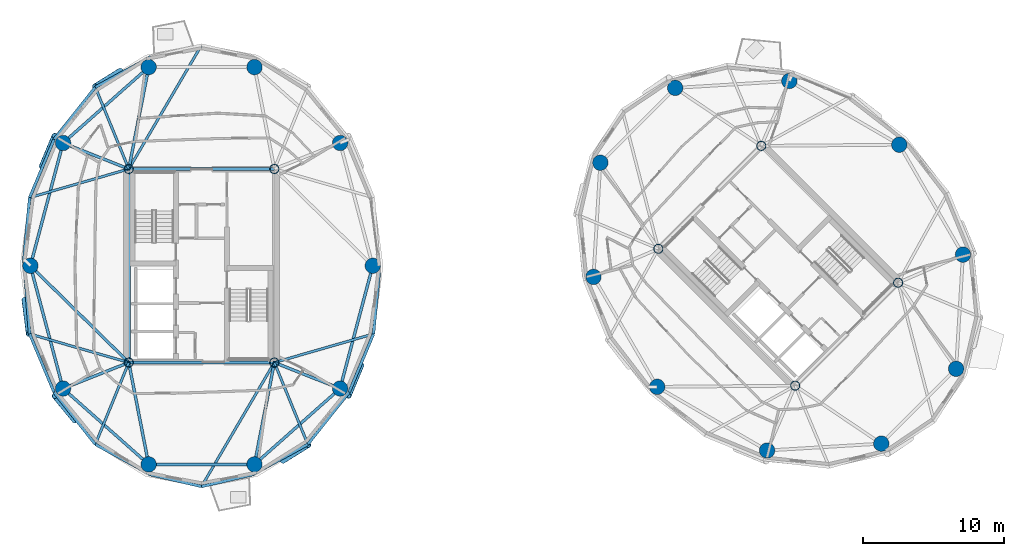
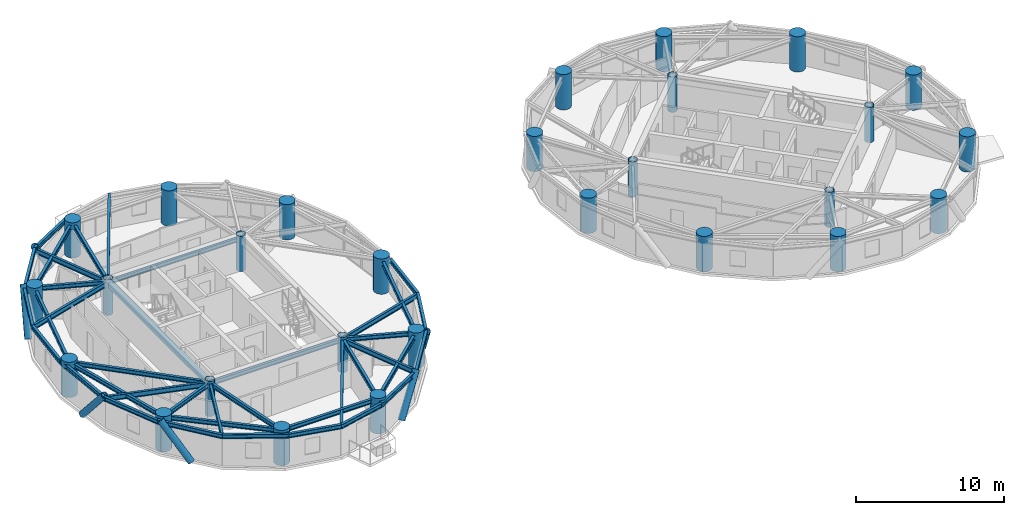
# One storey, part 1 of 16: 39 beams, 28 columns, 6 members.
"""IFC4 building model written with IfcOpenShell, lengths in metres."""

from ifc_helpers import new_model, si_unit, direction, frame, origin, origin_2d, place, context, subcontext, project, spatial, hollow_rectangle, circle, hollow_circle, i_section, extrude, material, material_profile, profile_set, type_object, element, save


model = new_model("IFC4")

# Units and contexts
model_context = context("Model", 3, precision=1e-05, world=origin(), true_north=direction((0.0, 1.0)))
body_context = subcontext(model_context, "Body", "Model", "MODEL_VIEW")
ifc_project = project(units=[si_unit("LENGTHUNIT", "METRE"), si_unit("AREAUNIT", "SQUARE_METRE"), si_unit("VOLUMEUNIT", "CUBIC_METRE"), si_unit("PLANEANGLEUNIT", "RADIAN"), si_unit("MASSUNIT", "GRAM", prefix="KILO")], contexts=[model_context])

# Site, building, storey
site_placement = place(None, origin())
site = spatial("IfcSite", under=ifc_project, at=site_placement, CompositionType="ELEMENT")
building_placement = place(site_placement, origin())
building = spatial("IfcBuilding", under=site, at=building_placement, Name="Cununo Teusaquillo Station Towers", CompositionType="ELEMENT")
storey_placement = place(building_placement, frame((0.0, 0.0, 217.030029296875)))
storey = spatial("IfcBuildingStorey", under=building, at=storey_placement, Name="L69", CompositionType="ELEMENT", Elevation=217.030029296875)

# Columns
ifc_material_1 = material(Name="Steel EN 10025-2 S355J2", Category="steel")
ifc_material_profile_1 = material_profile(ifc_material_1, hollow_circle(Radius=0.330078125, WallThickness=0.02490234375, at=origin_2d()), Name="CHS 660x25")
ifc_profile_set_1 = profile_set([ifc_material_profile_1], Name="Steel EN 10025-2 S355J2")
column_type_1 = type_object("IfcColumnType", Name="COL-CORE-Z3", PredefinedType="COLUMN", material=ifc_profile_set_1)
for number, where, z_axis, x_axis, name in (
    (1, (11.324951171875, 17.6201171875, 0.0), (0.0, 0.0, 1.0), (1.0, 0.0, 0.0), "L69 Tower A Core Column 1"),
    (2, (11.324951171875, 31.3798828125, 0.0), (0.0, 0.0, 1.0), (1.0, 0.0, 0.0), "L69 Tower A Core Column 2"),
    (3, (21.675048828125, 17.6201171875, 0.0), (0.0, 0.0, 1.0), (1.0, 0.0, 0.0), "L69 Tower A Core Column 3"),
    (4, (21.675048828125, 31.3798828125, 0.0), (0.0, 0.0, 1.0), (1.0, 0.0, 0.0), "L69 Tower A Core Column 4"),
    (5, (58.70556640625, 15.975830078125, 0.0), (0.0, 0.0, 1.0), (0.707106781187, 0.707106781187, 0.0), "L69 Tower B Core Column 1"),
    (6, (48.975830078125, 25.70556640625, 0.0), (0.0, 0.0, 1.0), (0.707106781187, 0.707106781187, 0.0), "L69 Tower B Core Column 2"),
    (7, (66.024169921875, 23.29443359375, 0.0), (0.0, 0.0, 1.0), (0.707106781187, 0.707106781187, 0.0), "L69 Tower B Core Column 3"),
    (8, (56.29443359375, 33.024169921875, 0.0), (0.0, 0.0, 1.0), (0.707106781187, 0.707106781187, 0.0), "L69 Tower B Core Column 4"),
):
    element("IfcColumn", number, at=place(storey_placement, frame(where, z_axis=z_axis, x_axis=x_axis)), inside=storey, type_object=column_type_1, Name=name, PredefinedType="COLUMN", context=body_context, shape_type="SweptSolid", body=[
        extrude(hollow_circle(Radius=0.330078125, WallThickness=0.02490234375, at=origin_2d()), origin(), (0.0, 0.0, 1.0), 2.909912109375),
    ])
ifc_material_2 = material(Name="Concrete C50/60", Category="concrete")
ifc_material_profile_2 = material_profile(ifc_material_2, circle(Radius=0.550048828125, at=origin_2d()), Name="RC-CIRC-1100")
ifc_profile_set_2 = profile_set([ifc_material_profile_2], Name="Concrete C50/60")
column_type_2 = type_object("IfcColumnType", Name="COL-MEGA-Z4", PredefinedType="USERDEFINED", material=ifc_profile_set_2)
for number, where, z_axis, x_axis, name in (
    (9, (28.672119140625, 24.5, 0.0), (0.0, 0.0, 1.0), (1.0, 0.0, 0.0), "L69 Tower A Perimeter Column V00"),
    (10, (26.347412109375, 33.228515625, 0.0), (0.0, 0.0, 1.0), (1.0, 0.0, 0.0), "L69 Tower A Perimeter Column V02"),
    (11, (20.261474609375, 38.623291015625, 0.0), (0.0, 0.0, 1.0), (1.0, 0.0, 0.0), "L69 Tower A Perimeter Column V04"),
    (12, (12.738525390625, 38.623291015625, 0.0), (0.0, 0.0, 1.0), (1.0, 0.0, 0.0), "L69 Tower A Perimeter Column V06"),
    (13, (6.652587890625, 33.228515625, 0.0), (0.0, 0.0, 1.0), (1.0, 0.0, 0.0), "L69 Tower A Perimeter Column V08"),
    (14, (4.327880859375, 24.5, 0.0), (0.0, 0.0, 1.0), (1.0, 0.0, 0.0), "L69 Tower A Perimeter Column V10"),
    (15, (6.652587890625, 15.771484375, 0.0), (0.0, 0.0, 1.0), (1.0, 0.0, 0.0), "L69 Tower A Perimeter Column V12"),
    (16, (12.738525390625, 10.376708984375, 0.0), (0.0, 0.0, 1.0), (1.0, 0.0, 0.0), "L69 Tower A Perimeter Column V14"),
    (17, (20.261474609375, 10.376708984375, 0.0), (0.0, 0.0, 1.0), (1.0, 0.0, 0.0), "L69 Tower A Perimeter Column V16"),
    (18, (26.347412109375, 15.771484375, 0.0), (0.0, 0.0, 1.0), (1.0, 0.0, 0.0), "L69 Tower A Perimeter Column V18"),
    (19, (66.10693359375, 33.10693359375, 0.0), (0.0, 0.0, 1.0), (1.0, 0.0, 0.0), "L69 Tower B Perimeter Column V00"),
    (20, (58.291015625, 37.63525390625, 0.0), (0.0, 0.0, 1.0), (1.0, 0.0, 0.0), "L69 Tower B Perimeter Column V02"),
    (21, (50.173095703125, 37.146240234375, 0.0), (0.0, 0.0, 1.0), (1.0, 0.0, 0.0), "L69 Tower B Perimeter Column V04"),
    (22, (44.853759765625, 31.826904296875, 0.0), (0.0, 0.0, 1.0), (1.0, 0.0, 0.0), "L69 Tower B Perimeter Column V06"),
    (23, (44.36474609375, 23.708984375, 0.0), (0.0, 0.0, 1.0), (1.0, 0.0, 0.0), "L69 Tower B Perimeter Column V08"),
    (24, (48.89306640625, 15.89306640625, 0.0), (0.0, 0.0, 1.0), (1.0, 0.0, 0.0), "L69 Tower B Perimeter Column V10"),
    (25, (56.708984375, 11.36474609375, 0.0), (0.0, 0.0, 1.0), (1.0, 0.0, 0.0), "L69 Tower B Perimeter Column V12"),
    (26, (64.826904296875, 11.853759765625, 0.0), (0.0, 0.0, 1.0), (1.0, 0.0, 0.0), "L69 Tower B Perimeter Column V14"),
    (27, (70.146240234375, 17.173095703125, 0.0), (0.0, 0.0, 1.0), (1.0, 0.0, 0.0), "L69 Tower B Perimeter Column V16"),
    (28, (70.63525390625, 25.291015625, 0.0), (0.0, 0.0, 1.0), (1.0, 0.0, 0.0), "L69 Tower B Perimeter Column V18"),
):
    element("IfcColumn", number, at=place(storey_placement, frame(where, z_axis=z_axis, x_axis=x_axis)), inside=storey, type_object=column_type_2, Name=name, ObjectType="MEGA COLUMN", PredefinedType="USERDEFINED", context=body_context, shape_type="SweptSolid", body=[
        extrude(circle(Radius=0.550048828125, at=origin_2d()), origin(), (0.0, 0.0, 1.0), 2.909912109375),
    ])

# Beams
ifc_material_3 = material(Name="Steel EN 10025-2 S355J2", Category="steel")
ifc_material_profile_3 = material_profile(ifc_material_3, hollow_rectangle(XDim=0.25, YDim=0.449951171875, WallThickness=0.01611328125, at=origin_2d()), Name="RHS 450x250x16")
ifc_profile_set_3 = profile_set([ifc_material_profile_3], Name="Steel EN 10025-2 S355J2")
beam_type_1 = type_object("IfcBeamType", Name="BM-COUP-1", PredefinedType="USERDEFINED", material=ifc_profile_set_3)
beam_1_placement = place(storey_placement, frame((11.324951171875, 17.6201171875, 2.474853515625), z_axis=(0.0, 1.0, 0.0), x_axis=(-1.0, 0.0, 0.0)))
element("IfcBeam", 29, at=beam_1_placement, inside=storey, type_object=beam_type_1, Name="L69 Tower A Core Beam 1", ObjectType="COUPLING BEAM", PredefinedType="USERDEFINED", context=body_context, shape_type="SweptSolid", body=[
    extrude(hollow_rectangle(XDim=0.25, YDim=0.449951171875, WallThickness=0.01611328125, at=origin_2d()), origin(), (0.0, 0.0, 1.0), 13.759765625),
])
ifc_material_4 = material(Name="Steel ASTM A572 Grade 50", Category="steel")
ifc_material_profile_4 = material_profile(ifc_material_4, i_section(OverallWidth=0.180908203125, OverallDepth=0.4169921875, WebThickness=0.010986328125, FlangeThickness=0.018310546875, FilletRadius=0.012939453125, at=origin_2d()), Name="W16X57")
ifc_profile_set_4 = profile_set([ifc_material_profile_4], Name="Steel ASTM A572 Grade 50")
beam_type_2 = type_object("IfcBeamType", Name="BM-JOIST-1", PredefinedType="JOIST", material=ifc_profile_set_4)
beam_2_placement = place(storey_placement, frame((11.324951171875, 31.3798828125, 2.491455078125), z_axis=(0.506486432091, 0.862247930765, 0.0), x_axis=(-0.862247930765, 0.506486432091, 0.0)))
element("IfcBeam", 30, at=beam_2_placement, inside=storey, type_object=beam_type_2, Name="L69 Tower A Radial Spandrel Joist V05", PredefinedType="JOIST", context=body_context, shape_type="SweptSolid", body=[
    extrude(i_section(OverallWidth=0.180908203125, OverallDepth=0.4169921875, WebThickness=0.010986328125, FlangeThickness=0.018310546875, FilletRadius=0.012939453125, at=origin_2d()), origin(), (0.0, 0.0, 1.0), 10.217529296875),
])
beam_3_placement = place(storey_placement, frame((11.324951171875, 31.3798828125, 2.491455078125), z_axis=(-0.378576847217, 0.925569862707, 0.0), x_axis=(-0.925569862707, -0.378576847217, 0.0)))
element("IfcBeam", 31, at=beam_3_placement, inside=storey, type_object=beam_type_2, Name="L69 Tower A Radial Spandrel Joist V07", PredefinedType="JOIST", context=body_context, shape_type="SweptSolid", body=[
    extrude(i_section(OverallWidth=0.180908203125, OverallDepth=0.4169921875, WebThickness=0.010986328125, FlangeThickness=0.018310546875, FilletRadius=0.012939453125, at=origin_2d()), origin(), (0.0, 0.0, 1.0), 6.28125),
])
for number, where, z_axis, x_axis, name in (
    (32, (11.324951171875, 31.3798828125, 2.491455078125), (-0.960861603375, -0.277028841748, 0.0), (0.277028841748, -0.960861603375, 0.0), "L69 Tower A Radial Spandrel Joist V09"),
    (33, (11.324951171875, 17.6201171875, 2.491455078125), (-0.960861603375, 0.277028841748, 0.0), (-0.277028841748, -0.960861603375, 0.0), "L69 Tower A Radial Spandrel Joist V11"),
):
    element("IfcBeam", number, at=place(storey_placement, frame(where, z_axis=z_axis, x_axis=x_axis)), inside=storey, type_object=beam_type_2, Name=name, PredefinedType="JOIST", context=body_context, shape_type="SweptSolid", body=[
        extrude(i_section(OverallWidth=0.180908203125, OverallDepth=0.4169921875, WebThickness=0.010986328125, FlangeThickness=0.018310546875, FilletRadius=0.012939453125, at=origin_2d()), origin(), (0.0, 0.0, 1.0), 7.333251953125),
    ])
beam_4_placement = place(storey_placement, frame((11.324951171875, 17.6201171875, 2.491455078125), z_axis=(-0.378576847217, -0.925569862707, 0.0), x_axis=(0.925569862707, -0.378576847217, 0.0)))
element("IfcBeam", 34, at=beam_4_placement, inside=storey, type_object=beam_type_2, Name="L69 Tower A Radial Spandrel Joist V13", PredefinedType="JOIST", context=body_context, shape_type="SweptSolid", body=[
    extrude(i_section(OverallWidth=0.180908203125, OverallDepth=0.4169921875, WebThickness=0.010986328125, FlangeThickness=0.018310546875, FilletRadius=0.012939453125, at=origin_2d()), origin(), (0.0, 0.0, 1.0), 6.28125),
])
beam_5_placement = place(storey_placement, frame((21.675048828125, 17.6201171875, 2.491455078125), z_axis=(-0.506486432091, -0.862247930765, 0.0), x_axis=(0.862247930765, -0.506486432091, 0.0)))
element("IfcBeam", 35, at=beam_5_placement, inside=storey, type_object=beam_type_2, Name="L69 Tower A Radial Spandrel Joist V15", PredefinedType="JOIST", context=body_context, shape_type="SweptSolid", body=[
    extrude(i_section(OverallWidth=0.180908203125, OverallDepth=0.4169921875, WebThickness=0.010986328125, FlangeThickness=0.018310546875, FilletRadius=0.012939453125, at=origin_2d()), origin(), (0.0, 0.0, 1.0), 10.217529296875),
])
beam_6_placement = place(storey_placement, frame((21.675048828125, 17.6201171875, 2.491455078125), z_axis=(0.378576847217, -0.925569862707, 0.0), x_axis=(0.925569862707, 0.378576847217, 0.0)))
element("IfcBeam", 36, at=beam_6_placement, inside=storey, type_object=beam_type_2, Name="L69 Tower A Radial Spandrel Joist V17", PredefinedType="JOIST", context=body_context, shape_type="SweptSolid", body=[
    extrude(i_section(OverallWidth=0.180908203125, OverallDepth=0.4169921875, WebThickness=0.010986328125, FlangeThickness=0.018310546875, FilletRadius=0.012939453125, at=origin_2d()), origin(), (0.0, 0.0, 1.0), 6.28125),
])
beam_7_placement = place(storey_placement, frame((21.675048828125, 17.6201171875, 2.491455078125), z_axis=(0.960861603375, 0.277028841748, 0.0), x_axis=(-0.277028841748, 0.960861603375, 0.0)))
element("IfcBeam", 37, at=beam_7_placement, inside=storey, type_object=beam_type_2, Name="L69 Tower A Radial Spandrel Joist V19", PredefinedType="JOIST", context=body_context, shape_type="SweptSolid", body=[
    extrude(i_section(OverallWidth=0.180908203125, OverallDepth=0.4169921875, WebThickness=0.010986328125, FlangeThickness=0.018310546875, FilletRadius=0.012939453125, at=origin_2d()), origin(), (0.0, 0.0, 1.0), 7.333251953125),
])
ifc_material_5 = material(Name="Steel ASTM A572 Grade 50", Category="steel")
ifc_material_profile_5 = material_profile(ifc_material_5, i_section(OverallWidth=0.2041015625, OverallDepth=0.35009765625, WebThickness=0.008544921875, FlangeThickness=0.01513671875, FilletRadius=0.011962890625, at=origin_2d()), Name="W14X48")
ifc_profile_set_5 = profile_set([ifc_material_profile_5], Name="Steel ASTM A572 Grade 50")
beam_type_3 = type_object("IfcBeamType", Name="BM-LINTEL-1", PredefinedType="LINTEL", material=ifc_profile_set_5)
for number, where, z_axis, x_axis, name in (
    (38, (11.324951171875, 17.6201171875, 2.52490234375), (1.0, 0.0, 0.0), (0.0, 1.0, 0.0), "L69 Tower A Core Beam 3"),
    (39, (11.324951171875, 31.3798828125, 2.52490234375), (1.0, 0.0, 0.0), (0.0, 1.0, 0.0), "L69 Tower A Core Beam 4"),
):
    element("IfcBeam", number, at=place(storey_placement, frame(where, z_axis=z_axis, x_axis=x_axis)), inside=storey, type_object=beam_type_3, Name=name, PredefinedType="LINTEL", context=body_context, shape_type="SweptSolid", body=[
        extrude(i_section(OverallWidth=0.2041015625, OverallDepth=0.35009765625, WebThickness=0.008544921875, FlangeThickness=0.01513671875, FilletRadius=0.011962890625, at=origin_2d()), origin(), (0.0, 0.0, 1.0), 10.35009765625),
    ])
ifc_material_6 = material(Name="Steel ASTM A572 Grade 50", Category="steel")
ifc_material_profile_6 = material_profile(ifc_material_6, i_section(OverallWidth=0.2041015625, OverallDepth=0.35009765625, WebThickness=0.008544921875, FlangeThickness=0.01513671875, FilletRadius=0.011962890625, at=origin_2d()), Name="W14X48")
ifc_profile_set_6 = profile_set([ifc_material_profile_6], Name="Steel ASTM A572 Grade 50")
beam_type_4 = type_object("IfcBeamType", Name="BM-RAD-G3", PredefinedType="BEAM", material=ifc_profile_set_6)
beam_8_placement = place(storey_placement, frame((11.324951171875, 31.3798828125, 2.52490234375), z_axis=(0.191548487699, 0.981483151593, 0.0), x_axis=(-0.981483151593, 0.191548487699, 0.0)))
element("IfcBeam", 40, at=beam_8_placement, inside=storey, type_object=beam_type_4, Name="L69 Tower A Continuous Overhanging Radial Girder 04", PredefinedType="BEAM", context=body_context, shape_type="SweptSolid", body=[
    extrude(i_section(OverallWidth=0.2041015625, OverallDepth=0.35009765625, WebThickness=0.008544921875, FlangeThickness=0.01513671875, FilletRadius=0.011962890625, at=origin_2d()), origin(), (0.0, 0.0, 1.0), 8.1240234375),
])
beam_9_placement = place(storey_placement, frame((11.324951171875, 31.3798828125, 2.52490234375), z_axis=(-0.929851670487, 0.36793460138, 0.0), x_axis=(-0.36793460138, -0.929851670487, 0.0)))
element("IfcBeam", 41, at=beam_9_placement, inside=storey, type_object=beam_type_4, Name="L69 Tower A Continuous Overhanging Radial Girder 05", PredefinedType="BEAM", context=body_context, shape_type="SweptSolid", body=[
    extrude(i_section(OverallWidth=0.2041015625, OverallDepth=0.35009765625, WebThickness=0.008544921875, FlangeThickness=0.01513671875, FilletRadius=0.011962890625, at=origin_2d()), origin(), (0.0, 0.0, 1.0), 5.71630859375),
])
beam_10_placement = place(storey_placement, frame((11.324951171875, 17.6201171875, 2.52490234375), z_axis=(-0.713052701438, 0.701110437073, 0.0), x_axis=(-0.701110437073, -0.713052701438, 0.0)))
element("IfcBeam", 42, at=beam_10_placement, inside=storey, type_object=beam_type_4, Name="L69 Tower A Radial Girder 06A", PredefinedType="BEAM", context=body_context, shape_type="SweptSolid", body=[
    extrude(i_section(OverallWidth=0.2041015625, OverallDepth=0.35009765625, WebThickness=0.008544921875, FlangeThickness=0.01513671875, FilletRadius=0.011962890625, at=origin_2d()), origin(), (0.0, 0.0, 1.0), 9.812744140625),
])
beam_11_placement = place(storey_placement, frame((11.324951171875, 17.6201171875, 2.52490234375), z_axis=(-0.929851670487, -0.36793460138, 0.0), x_axis=(0.36793460138, -0.929851670487, 0.0)))
element("IfcBeam", 43, at=beam_11_placement, inside=storey, type_object=beam_type_4, Name="L69 Tower A Continuous Overhanging Radial Girder 07", PredefinedType="BEAM", context=body_context, shape_type="SweptSolid", body=[
    extrude(i_section(OverallWidth=0.2041015625, OverallDepth=0.35009765625, WebThickness=0.008544921875, FlangeThickness=0.01513671875, FilletRadius=0.011962890625, at=origin_2d()), origin(), (0.0, 0.0, 1.0), 5.71630859375),
])
for number, where, z_axis, x_axis, name in (
    (44, (11.324951171875, 17.6201171875, 2.52490234375), (0.191548487699, -0.981483151593, 0.0), (0.981483151593, 0.191548487699, 0.0), "L69 Tower A Continuous Overhanging Radial Girder 08"),
    (45, (21.675048828125, 17.6201171875, 2.52490234375), (-0.191548487699, -0.981483151593, 0.0), (0.981483151593, -0.191548487699, 0.0), "L69 Tower A Continuous Overhanging Radial Girder 09"),
):
    element("IfcBeam", number, at=place(storey_placement, frame(where, z_axis=z_axis, x_axis=x_axis)), inside=storey, type_object=beam_type_4, Name=name, PredefinedType="BEAM", context=body_context, shape_type="SweptSolid", body=[
        extrude(i_section(OverallWidth=0.2041015625, OverallDepth=0.35009765625, WebThickness=0.008544921875, FlangeThickness=0.01513671875, FilletRadius=0.011962890625, at=origin_2d()), origin(), (0.0, 0.0, 1.0), 8.1240234375),
    ])
beam_12_placement = place(storey_placement, frame((21.675048828125, 17.6201171875, 2.52490234375), z_axis=(0.929851670487, -0.36793460138, 0.0), x_axis=(0.36793460138, 0.929851670487, 0.0)))
element("IfcBeam", 46, at=beam_12_placement, inside=storey, type_object=beam_type_4, Name="L69 Tower A Continuous Overhanging Radial Girder 10", PredefinedType="BEAM", context=body_context, shape_type="SweptSolid", body=[
    extrude(i_section(OverallWidth=0.2041015625, OverallDepth=0.35009765625, WebThickness=0.008544921875, FlangeThickness=0.01513671875, FilletRadius=0.011962890625, at=origin_2d()), origin(), (0.0, 0.0, 1.0), 5.71630859375),
])
ifc_material_7 = material(Name="Steel ASTM A572 Grade 50", Category="steel")
ifc_material_profile_7 = material_profile(ifc_material_7, i_section(OverallWidth=0.2041015625, OverallDepth=0.35009765625, WebThickness=0.008544921875, FlangeThickness=0.01513671875, FilletRadius=0.011962890625, at=origin_2d()), Name="W14X48")
ifc_profile_set_7 = profile_set([ifc_material_profile_7], Name="Steel ASTM A572 Grade 50")
beam_type_5 = type_object("IfcBeamType", Name="BM-RING-Z4", PredefinedType="SPANDREL", material=ifc_profile_set_7)
beam_13_placement = place(storey_placement, frame((12.738525390625, 38.623291015625, 2.52490234375), z_axis=(-0.74832120039, -0.66333655187, 0.0), x_axis=(0.66333655187, -0.74832120039, 0.0)))
element("IfcBeam", 47, at=beam_13_placement, inside=storey, type_object=beam_type_5, Name="L69 Tower A Structural Column Ring Girder 04", PredefinedType="SPANDREL", context=body_context, shape_type="SweptSolid", body=[
    extrude(i_section(OverallWidth=0.2041015625, OverallDepth=0.35009765625, WebThickness=0.008544921875, FlangeThickness=0.01513671875, FilletRadius=0.011962890625, at=origin_2d()), origin(), (0.0, 0.0, 1.0), 8.1328125),
])
for number, where, z_axis, x_axis, name in (
    (48, (6.652587890625, 33.228515625, 2.52490234375), (-0.257363196347, -0.966314744359, 0.0), (0.966314744359, -0.257363196347, 0.0), "L69 Tower A Structural Column Ring Girder 05"),
    (49, (4.327880859375, 24.5, 2.52490234375), (0.257363196347, -0.966314744359, 0.0), (0.966314744359, 0.257363196347, 0.0), "L69 Tower A Structural Column Ring Girder 06"),
):
    element("IfcBeam", number, at=place(storey_placement, frame(where, z_axis=z_axis, x_axis=x_axis)), inside=storey, type_object=beam_type_5, Name=name, PredefinedType="SPANDREL", context=body_context, shape_type="SweptSolid", body=[
        extrude(i_section(OverallWidth=0.2041015625, OverallDepth=0.35009765625, WebThickness=0.008544921875, FlangeThickness=0.01513671875, FilletRadius=0.011962890625, at=origin_2d()), origin(), (0.0, 0.0, 1.0), 9.03271484375),
    ])
beam_14_placement = place(storey_placement, frame((6.652587890625, 15.771484375, 2.52490234375), z_axis=(0.74832120039, -0.66333655187, 0.0), x_axis=(0.66333655187, 0.74832120039, 0.0)))
element("IfcBeam", 50, at=beam_14_placement, inside=storey, type_object=beam_type_5, Name="L69 Tower A Structural Column Ring Girder 07", PredefinedType="SPANDREL", context=body_context, shape_type="SweptSolid", body=[
    extrude(i_section(OverallWidth=0.2041015625, OverallDepth=0.35009765625, WebThickness=0.008544921875, FlangeThickness=0.01513671875, FilletRadius=0.011962890625, at=origin_2d()), origin(), (0.0, 0.0, 1.0), 8.1328125),
])
beam_15_placement = place(storey_placement, frame((12.738525390625, 10.376708984375, 2.52490234375), z_axis=(1.0, 0.0, 0.0), x_axis=(0.0, 1.0, 0.0)))
element("IfcBeam", 51, at=beam_15_placement, inside=storey, type_object=beam_type_5, Name="L69 Tower A Structural Column Ring Girder 08", PredefinedType="SPANDREL", context=body_context, shape_type="SweptSolid", body=[
    extrude(i_section(OverallWidth=0.2041015625, OverallDepth=0.35009765625, WebThickness=0.008544921875, FlangeThickness=0.01513671875, FilletRadius=0.011962890625, at=origin_2d()), origin(), (0.0, 0.0, 1.0), 7.52294921875),
])
beam_16_placement = place(storey_placement, frame((20.261474609375, 10.376708984375, 2.52490234375), z_axis=(0.74832120039, 0.66333655187, 0.0), x_axis=(-0.66333655187, 0.74832120039, 0.0)))
element("IfcBeam", 52, at=beam_16_placement, inside=storey, type_object=beam_type_5, Name="L69 Tower A Structural Column Ring Girder 09", PredefinedType="SPANDREL", context=body_context, shape_type="SweptSolid", body=[
    extrude(i_section(OverallWidth=0.2041015625, OverallDepth=0.35009765625, WebThickness=0.008544921875, FlangeThickness=0.01513671875, FilletRadius=0.011962890625, at=origin_2d()), origin(), (0.0, 0.0, 1.0), 8.1328125),
])
beam_17_placement = place(storey_placement, frame((26.347412109375, 15.771484375, 2.52490234375), z_axis=(0.257363196347, 0.966314744359, 0.0), x_axis=(-0.966314744359, 0.257363196347, 0.0)))
element("IfcBeam", 53, at=beam_17_placement, inside=storey, type_object=beam_type_5, Name="L69 Tower A Structural Column Ring Girder 10", PredefinedType="SPANDREL", context=body_context, shape_type="SweptSolid", body=[
    extrude(i_section(OverallWidth=0.2041015625, OverallDepth=0.35009765625, WebThickness=0.008544921875, FlangeThickness=0.01513671875, FilletRadius=0.011962890625, at=origin_2d()), origin(), (0.0, 0.0, 1.0), 9.03271484375),
])
beam_18_placement = place(storey_placement, frame((12.881103515625, 39.353515625, 2.52490234375), z_axis=(-0.876576300909, -0.481262910149, 0.0), x_axis=(0.481262910149, -0.876576300909, 0.0)))
element("IfcBeam", 54, at=beam_18_placement, inside=storey, type_object=beam_type_5, Name="L69 Tower A Spandrel Ring Beam 07", PredefinedType="SPANDREL", context=body_context, shape_type="SweptSolid", body=[
    extrude(i_section(OverallWidth=0.2041015625, OverallDepth=0.35009765625, WebThickness=0.008544921875, FlangeThickness=0.01513671875, FilletRadius=0.011962890625, at=origin_2d()), origin(), (0.0, 0.0, 1.0), 4.488037109375),
])
beam_19_placement = place(storey_placement, frame((8.947021484375, 37.193603515625, 2.52490234375), z_axis=(-0.620710872531, -0.784039547932, 0.0), x_axis=(0.784039547932, -0.620710872531, 0.0)))
element("IfcBeam", 55, at=beam_19_placement, inside=storey, type_object=beam_type_5, Name="L69 Tower A Spandrel Ring Beam 08", PredefinedType="SPANDREL", context=body_context, shape_type="SweptSolid", body=[
    extrude(i_section(OverallWidth=0.2041015625, OverallDepth=0.35009765625, WebThickness=0.008544921875, FlangeThickness=0.01513671875, FilletRadius=0.011962890625, at=origin_2d()), origin(), (0.0, 0.0, 1.0), 4.732421875),
])
beam_20_placement = place(storey_placement, frame((6.009521484375, 33.483154296875, 2.52490234375), z_axis=(-0.386115454066, -0.922450462698, 0.0), x_axis=(0.922450462698, -0.386115454066, 0.0)))
element("IfcBeam", 56, at=beam_20_placement, inside=storey, type_object=beam_type_5, Name="L69 Tower A Spandrel Ring Beam 09", PredefinedType="SPANDREL", context=body_context, shape_type="SweptSolid", body=[
    extrude(i_section(OverallWidth=0.2041015625, OverallDepth=0.35009765625, WebThickness=0.008544921875, FlangeThickness=0.01513671875, FilletRadius=0.011962890625, at=origin_2d()), origin(), (0.0, 0.0, 1.0), 4.482421875),
])
beam_21_placement = place(storey_placement, frame((4.27880859375, 29.348388671875, 2.52490234375), z_axis=(-0.093902932611, -0.995581357422, 0.0), x_axis=(0.995581357422, -0.093902932611, 0.0)))
element("IfcBeam", 57, at=beam_21_placement, inside=storey, type_object=beam_type_5, Name="L69 Tower A Spandrel Ring Beam 10", PredefinedType="SPANDREL", context=body_context, shape_type="SweptSolid", body=[
    extrude(i_section(OverallWidth=0.2041015625, OverallDepth=0.35009765625, WebThickness=0.008544921875, FlangeThickness=0.01513671875, FilletRadius=0.011962890625, at=origin_2d()), origin(), (0.0, 0.0, 1.0), 4.412109375),
])
beam_22_placement = place(storey_placement, frame((3.864501953125, 24.955810546875, 2.52490234375), z_axis=(0.077871988965, -0.996963366095, 0.0), x_axis=(0.996963366095, 0.077871988965, 0.0)))
element("IfcBeam", 58, at=beam_22_placement, inside=storey, type_object=beam_type_5, Name="L69 Tower A Spandrel Ring Beam 11", PredefinedType="SPANDREL", context=body_context, shape_type="SweptSolid", body=[
    extrude(i_section(OverallWidth=0.2041015625, OverallDepth=0.35009765625, WebThickness=0.008544921875, FlangeThickness=0.01513671875, FilletRadius=0.011962890625, at=origin_2d()), origin(), (0.0, 0.0, 1.0), 5.3203125),
])
beam_23_placement = place(storey_placement, frame((4.27880859375, 19.651611328125, 2.52490234375), z_axis=(0.386115454066, -0.922450462698, 0.0), x_axis=(0.922450462698, 0.386115454066, 0.0)))
element("IfcBeam", 59, at=beam_23_placement, inside=storey, type_object=beam_type_5, Name="L69 Tower A Spandrel Ring Beam 12", PredefinedType="SPANDREL", context=body_context, shape_type="SweptSolid", body=[
    extrude(i_section(OverallWidth=0.2041015625, OverallDepth=0.35009765625, WebThickness=0.008544921875, FlangeThickness=0.01513671875, FilletRadius=0.011962890625, at=origin_2d()), origin(), (0.0, 0.0, 1.0), 4.482421875),
])
beam_24_placement = place(storey_placement, frame((6.009521484375, 15.516845703125, 2.52490234375), z_axis=(0.620710872531, -0.784039547932, 0.0), x_axis=(0.784039547932, 0.620710872531, 0.0)))
element("IfcBeam", 60, at=beam_24_placement, inside=storey, type_object=beam_type_5, Name="L69 Tower A Spandrel Ring Beam 13", PredefinedType="SPANDREL", context=body_context, shape_type="SweptSolid", body=[
    extrude(i_section(OverallWidth=0.2041015625, OverallDepth=0.35009765625, WebThickness=0.008544921875, FlangeThickness=0.01513671875, FilletRadius=0.011962890625, at=origin_2d()), origin(), (0.0, 0.0, 1.0), 4.732421875),
])
beam_25_placement = place(storey_placement, frame((8.947021484375, 11.806396484375, 2.52490234375), z_axis=(0.876576300909, -0.481262910149, 0.0), x_axis=(0.481262910149, 0.876576300909, 0.0)))
element("IfcBeam", 61, at=beam_25_placement, inside=storey, type_object=beam_type_5, Name="L69 Tower A Spandrel Ring Beam 14", PredefinedType="SPANDREL", context=body_context, shape_type="SweptSolid", body=[
    extrude(i_section(OverallWidth=0.2041015625, OverallDepth=0.35009765625, WebThickness=0.008544921875, FlangeThickness=0.01513671875, FilletRadius=0.011962890625, at=origin_2d()), origin(), (0.0, 0.0, 1.0), 4.488037109375),
])
for number, where, z_axis, x_axis, name in (
    (62, (12.881103515625, 9.646484375, 2.52490234375), (0.97431470066, -0.225190728224, 0.0), (0.225190728224, 0.97431470066, 0.0), "L69 Tower A Spandrel Ring Beam 15"),
    (63, (16.5, 8.81005859375, 2.52490234375), (0.97431470066, 0.225190728224, 0.0), (-0.225190728224, 0.97431470066, 0.0), "L69 Tower A Spandrel Ring Beam 16"),
):
    element("IfcBeam", number, at=place(storey_placement, frame(where, z_axis=z_axis, x_axis=x_axis)), inside=storey, type_object=beam_type_5, Name=name, PredefinedType="SPANDREL", context=body_context, shape_type="SweptSolid", body=[
        extrude(i_section(OverallWidth=0.2041015625, OverallDepth=0.35009765625, WebThickness=0.008544921875, FlangeThickness=0.01513671875, FilletRadius=0.011962890625, at=origin_2d()), origin(), (0.0, 0.0, 1.0), 3.71435546875),
    ])
beam_26_placement = place(storey_placement, frame((20.118896484375, 9.646484375, 2.52490234375), z_axis=(0.876576300909, 0.481262910149, 0.0), x_axis=(-0.481262910149, 0.876576300909, 0.0)))
element("IfcBeam", 64, at=beam_26_placement, inside=storey, type_object=beam_type_5, Name="L69 Tower A Spandrel Ring Beam 17", PredefinedType="SPANDREL", context=body_context, shape_type="SweptSolid", body=[
    extrude(i_section(OverallWidth=0.2041015625, OverallDepth=0.35009765625, WebThickness=0.008544921875, FlangeThickness=0.01513671875, FilletRadius=0.011962890625, at=origin_2d()), origin(), (0.0, 0.0, 1.0), 4.488037109375),
])
beam_27_placement = place(storey_placement, frame((24.052978515625, 11.806396484375, 2.52490234375), z_axis=(0.620710872531, 0.784039547932, 0.0), x_axis=(-0.784039547932, 0.620710872531, 0.0)))
element("IfcBeam", 65, at=beam_27_placement, inside=storey, type_object=beam_type_5, Name="L69 Tower A Spandrel Ring Beam 18", PredefinedType="SPANDREL", context=body_context, shape_type="SweptSolid", body=[
    extrude(i_section(OverallWidth=0.2041015625, OverallDepth=0.35009765625, WebThickness=0.008544921875, FlangeThickness=0.01513671875, FilletRadius=0.011962890625, at=origin_2d()), origin(), (0.0, 0.0, 1.0), 4.732421875),
])
beam_28_placement = place(storey_placement, frame((26.990478515625, 15.516845703125, 2.52490234375), z_axis=(0.386115454066, 0.922450462698, 0.0), x_axis=(-0.922450462698, 0.386115454066, 0.0)))
element("IfcBeam", 66, at=beam_28_placement, inside=storey, type_object=beam_type_5, Name="L69 Tower A Spandrel Ring Beam 19", PredefinedType="SPANDREL", context=body_context, shape_type="SweptSolid", body=[
    extrude(i_section(OverallWidth=0.2041015625, OverallDepth=0.35009765625, WebThickness=0.008544921875, FlangeThickness=0.01513671875, FilletRadius=0.011962890625, at=origin_2d()), origin(), (0.0, 0.0, 1.0), 4.482421875),
])
beam_29_placement = place(storey_placement, frame((28.72119140625, 19.651611328125, 2.52490234375), z_axis=(0.093902932611, 0.995581357422, 0.0), x_axis=(-0.995581357422, 0.093902932611, 0.0)))
element("IfcBeam", 67, at=beam_29_placement, inside=storey, type_object=beam_type_5, Name="L69 Tower A Spandrel Ring Beam 20", PredefinedType="SPANDREL", context=body_context, shape_type="SweptSolid", body=[
    extrude(i_section(OverallWidth=0.2041015625, OverallDepth=0.35009765625, WebThickness=0.008544921875, FlangeThickness=0.01513671875, FilletRadius=0.011962890625, at=origin_2d()), origin(), (0.0, 0.0, 1.0), 4.412109375),
])

# Members
ifc_material_8 = material(Name="Steel EN 10025-2 S355J2", Category="steel")
ifc_material_profile_8 = material_profile(ifc_material_8, hollow_circle(Radius=0.25390625, WallThickness=0.01806640625, at=origin_2d()), Name="CHS 508x18")
ifc_profile_set_8 = profile_set([ifc_material_profile_8], Name="Steel EN 10025-2 S355J2")
member_type = type_object("IfcMemberType", Name="MBR-DIAG-Z4", PredefinedType="BRACE", material=ifc_profile_set_8)
member_1_placement = place(storey_placement, frame((10.738037109375, 38.307861328125, -0.14013671875), z_axis=(-0.49830633528, -0.310015010117, 0.809679868666), x_axis=(0.528249968439, -0.849088906325, 0.0)))
element("IfcMember", 68, at=member_1_placement, inside=storey, type_object=member_type, Name="L69 Tower A Folded-Zigzag Diagrid Tube C06", PredefinedType="BRACE", context=body_context, shape_type="SweptSolid", body=[
    extrude(hollow_circle(Radius=0.25390625, WallThickness=0.01806640625, at=origin_2d()), origin(), (0.0, 0.0, 1.0), 3.59423828125),
])
member_2_placement = place(storey_placement, frame((5.19140625, 31.535400390625, -0.14013671875), z_axis=(0.243166093577, 0.582739932119, 0.775425317131), x_axis=(-0.922875628603, 0.385098135713, 0.0)))
element("IfcMember", 69, at=member_2_placement, inside=storey, type_object=member_type, Name="L69 Tower A Folded-Zigzag Diagrid Tube C08", PredefinedType="BRACE", context=body_context, shape_type="SweptSolid", body=[
    extrude(hollow_circle(Radius=0.25390625, WallThickness=0.01806640625, at=origin_2d()), origin(), (0.0, 0.0, 1.0), 3.7529296875),
])
member_3_placement = place(storey_placement, frame((3.964599609375, 22.07568359375, -0.14013671875), z_axis=(0.082675516768, -0.637828442881, 0.765728173949), x_axis=(0.991703685637, 0.128544933368, 0.0)))
element("IfcMember", 70, at=member_3_placement, inside=storey, type_object=member_type, Name="L69 Tower A Folded-Zigzag Diagrid Tube C10", PredefinedType="BRACE", context=body_context, shape_type="SweptSolid", body=[
    extrude(hollow_circle(Radius=0.25390625, WallThickness=0.01806640625, at=origin_2d()), origin(), (0.0, 0.0, 1.0), 3.800537109375),
])
member_4_placement = place(storey_placement, frame((7.525390625, 13.5419921875, -0.14013671875), z_axis=(-0.386828940437, 0.47234059388, 0.791996044317), x_axis=(-0.773661438449, -0.633599225581, 0.0)))
element("IfcMember", 71, at=member_4_placement, inside=storey, type_object=member_type, Name="L69 Tower A Folded-Zigzag Diagrid Tube C12", PredefinedType="BRACE", context=body_context, shape_type="SweptSolid", body=[
    extrude(hollow_circle(Radius=0.25390625, WallThickness=0.01806640625, at=origin_2d()), origin(), (0.0, 0.0, 1.0), 3.674560546875),
])
member_5_placement = place(storey_placement, frame((22.261962890625, 10.692138671875, -0.14013671875), z_axis=(0.49830633528, 0.310015010117, 0.809679868666), x_axis=(-0.528249968439, 0.849088906325, 0.0)))
element("IfcMember", 72, at=member_5_placement, inside=storey, type_object=member_type, Name="L69 Tower A Folded-Zigzag Diagrid Tube C16", PredefinedType="BRACE", context=body_context, shape_type="SweptSolid", body=[
    extrude(hollow_circle(Radius=0.25390625, WallThickness=0.01806640625, at=origin_2d()), origin(), (0.0, 0.0, 1.0), 3.59423828125),
])
member_6_placement = place(storey_placement, frame((27.80859375, 17.464599609375, -0.14013671875), z_axis=(-0.243166093577, -0.582739932119, 0.775425317131), x_axis=(0.922875628603, -0.385098135713, 0.0)))
element("IfcMember", 73, at=member_6_placement, inside=storey, type_object=member_type, Name="L69 Tower A Folded-Zigzag Diagrid Tube C18", PredefinedType="BRACE", context=body_context, shape_type="SweptSolid", body=[
    extrude(hollow_circle(Radius=0.25390625, WallThickness=0.01806640625, at=origin_2d()), origin(), (0.0, 0.0, 1.0), 3.7529296875),
])

save(model, "model.ifc")
